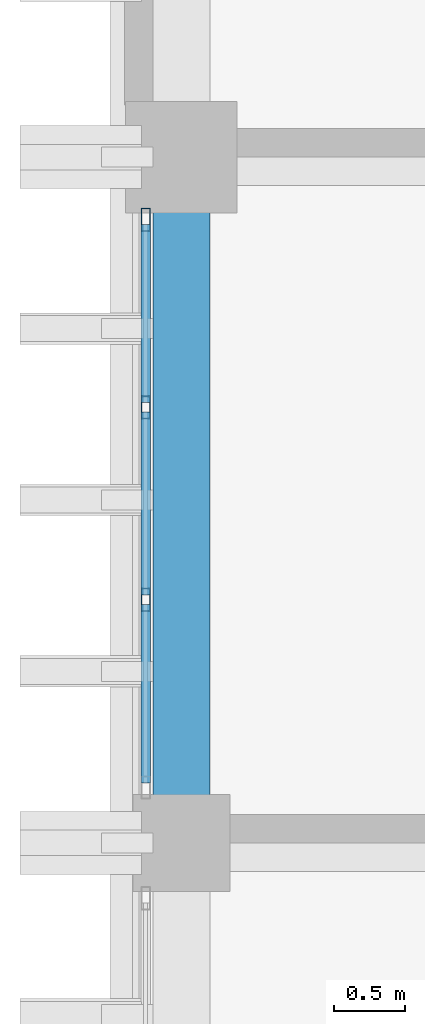
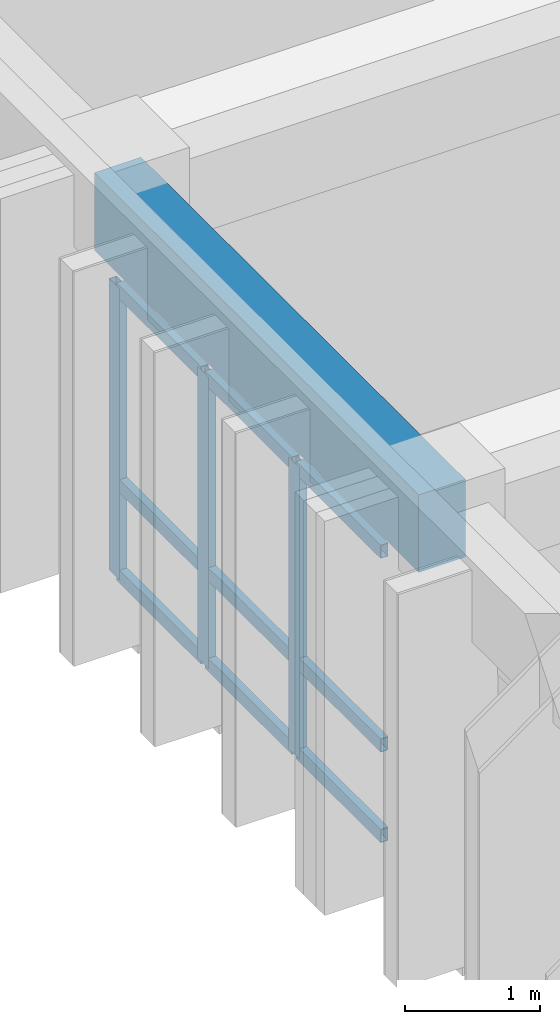
# One storey, part 10 of 68: 12 members, 1 beam, 1 element without a shape of its own.
"""IFC4 building model written with IfcOpenShell, lengths in metres."""

from ifc_helpers import new_model, si_unit, direction, frame, origin, origin_2d, place, context, subcontext, project, spatial, rectangle, hollow_rectangle, extrude, material, layer, layer_set, material_profile, profile_set, type_object, element, aggregate, save


model = new_model("IFC4")

# Units and contexts
model_context = context("Model", 3, precision=1e-05, world=origin(), true_north=direction((0.0, 1.0)))
body_context = subcontext(model_context, "Body", "Model", "MODEL_VIEW")
ifc_project = project(units=[si_unit("LENGTHUNIT", "METRE"), si_unit("AREAUNIT", "SQUARE_METRE"), si_unit("VOLUMEUNIT", "CUBIC_METRE"), si_unit("PLANEANGLEUNIT", "RADIAN"), si_unit("MASSUNIT", "GRAM", prefix="KILO")], contexts=[model_context])

# Site, building, storey
site_placement = place(None, origin())
site = spatial("IfcSite", under=ifc_project, at=site_placement, CompositionType="ELEMENT")
building_placement = place(site_placement, origin())
building = spatial("IfcBuilding", under=site, at=building_placement, Name="Nakhvara Creek Congress Hotel", CompositionType="ELEMENT")
storey_placement = place(building_placement, frame((0.0, 0.0, 24.60009765625)))
storey = spatial("IfcBuildingStorey", under=building, at=storey_placement, Name="L05", CompositionType="ELEMENT", Elevation=24.60009765625)

# Beam
ifc_material_1 = material(Name="Concrete C40/50", Category="concrete")
ifc_material_profile_1 = material_profile(ifc_material_1, rectangle(XDim=0.39990234375, YDim=0.699951171875, at=origin_2d()), Name="RC-BM 400x700", Category="LoadBearing")
ifc_profile_set_1 = profile_set([ifc_material_profile_1], Name="Concrete C40/50")
beam_type = type_object("IfcBeamType", Name="BM-RC-400X700", PredefinedType="BEAM", material=ifc_profile_set_1)
beam_placement = place(storey_placement, frame((149.449951171875, 43.199951171875, 2.989990234375), z_axis=(0.0, 1.0, 0.0), x_axis=(-1.0, 0.0, 0.0)))
element("IfcBeam", 1, at=beam_placement, inside=storey, type_object=beam_type, Name="Beam B05-L05-2064", PredefinedType="BEAM", context=body_context, shape_type="SweptSolid", body=[
    extrude(rectangle(XDim=0.39990234375, YDim=0.699951171875, at=origin_2d()), origin(), (0.0, 0.0, 1.0), 4.800048828125),
])

# Curtain wall, members
ifc_material_2 = material(Name="Bronze-anodised aluminium AW-6063-T6 and double-silver low-E glass", Category="aluminium")
ifc_layer = layer(ifc_material_2, 0.199951171875)
ifc_layer_set = layer_set([ifc_layer], Name="Bronze-anodised aluminium AW-6063-T6 and double-silver low-E glass")
curtain_wall_type = type_object("IfcCurtainWallType", Name="CW-HTL-UNIT", PredefinedType="USERDEFINED", material=ifc_layer_set)
curtain_wall_placement = place(storey_placement, origin())
curtain_wall = element("IfcCurtainWall", 2, at=curtain_wall_placement, inside=storey, type_object=curtain_wall_type, Name="Curtain Wall CW207", ObjectType="UNITISED", PredefinedType="USERDEFINED")
ifc_material_3 = material(Name="Bronze-anodised aluminium AW-6063-T6", Category="aluminium")
ifc_material_profile_2 = material_profile(ifc_material_3, hollow_rectangle(XDim=0.06494140625, YDim=0.159912109375, WallThickness=0.00390625, at=origin_2d()), Name="ALU-MULL 65x160x4", Category="LoadBearing")
ifc_profile_set_2 = profile_set([ifc_material_profile_2], Name="Bronze-anodised aluminium AW-6063-T6")
member_type_1 = type_object("IfcMemberType", Name="CW-MULL-160", PredefinedType="MULLION", material=ifc_profile_set_2)
member_1_placement = place(storey_placement, frame((149.199951171875, 44.901611328125, 0.0), z_axis=(0.0, 0.0, 1.0), x_axis=(-1.0, 0.0, 0.0)))
member_1 = element("IfcMember", 3, at=member_1_placement, type_object=member_type_1, Name="CW207 mullion 2", PredefinedType="MULLION", context=body_context, shape_type="SweptSolid", body=[
    extrude(hollow_rectangle(XDim=0.06494140625, YDim=0.159912109375, WallThickness=0.00390625, at=origin_2d()), origin(), (0.0, 0.0, 1.0), 2.6318359375),
])
member_2_placement = place(storey_placement, frame((149.199951171875, 46.248291015625, 0.0), z_axis=(0.0, 0.0, 1.0), x_axis=(-1.0, 0.0, 0.0)))
member_2 = element("IfcMember", 4, at=member_2_placement, type_object=member_type_1, Name="CW207 mullion 3", PredefinedType="MULLION", context=body_context, shape_type="SweptSolid", body=[
    extrude(hollow_rectangle(XDim=0.06494140625, YDim=0.159912109375, WallThickness=0.00390625, at=origin_2d()), origin(), (0.0, 0.0, 1.0), 2.6318359375),
])
member_3_placement = place(storey_placement, frame((149.199951171875, 47.5625, 0.0), z_axis=(0.0, 0.0, 1.0), x_axis=(-1.0, 0.0, 0.0)))
member_3 = element("IfcMember", 5, at=member_3_placement, type_object=member_type_1, Name="CW207 mullion 4", PredefinedType="MULLION", context=body_context, shape_type="SweptSolid", body=[
    extrude(hollow_rectangle(XDim=0.06494140625, YDim=0.159912109375, WallThickness=0.00390625, at=origin_2d()), origin(), (0.0, 0.0, 1.0), 2.6318359375),
])
ifc_material_profile_3 = material_profile(ifc_material_3, hollow_rectangle(XDim=0.06494140625, YDim=0.1201171875, WallThickness=0.00390625, at=origin_2d()), Name="ALU-TRAN 65x120x4", Category="LoadBearing")
ifc_profile_set_3 = profile_set([ifc_material_profile_3], Name="Bronze-anodised aluminium AW-6063-T6")
member_type_2 = type_object("IfcMemberType", Name="CW-TRAN-120", PredefinedType="USERDEFINED", material=ifc_profile_set_3)
member_4_placement = place(storey_placement, frame((149.199951171875, 43.6201171875, 0.032470703125), z_axis=(0.0, 1.0, 0.0), x_axis=(-1.0, 0.0, 0.0)))
member_4 = element("IfcMember", 6, at=member_4_placement, type_object=member_type_2, Name="CW207 transom 1.1", ObjectType="TRANSOM", PredefinedType="USERDEFINED", context=body_context, shape_type="SweptSolid", body=[
    extrude(hollow_rectangle(XDim=0.06494140625, YDim=0.1201171875, WallThickness=0.00390625, at=origin_2d()), origin(), (0.0, 0.0, 1.0), 1.2490234375),
])
member_5_placement = place(storey_placement, frame((149.199951171875, 43.6201171875, 0.849853515625), z_axis=(0.0, 1.0, 0.0), x_axis=(-1.0, 0.0, 0.0)))
member_5 = element("IfcMember", 7, at=member_5_placement, type_object=member_type_2, Name="CW207 transom 1.2", ObjectType="TRANSOM", PredefinedType="USERDEFINED", context=body_context, shape_type="SweptSolid", body=[
    extrude(hollow_rectangle(XDim=0.06494140625, YDim=0.1201171875, WallThickness=0.00390625, at=origin_2d()), origin(), (0.0, 0.0, 1.0), 1.2490234375),
])
member_6_placement = place(storey_placement, frame((149.199951171875, 43.6201171875, 2.599365234375), z_axis=(0.0, 1.0, 0.0), x_axis=(-1.0, 0.0, 0.0)))
member_6 = element("IfcMember", 8, at=member_6_placement, type_object=member_type_2, Name="CW207 transom 1.3", ObjectType="TRANSOM", PredefinedType="USERDEFINED", context=body_context, shape_type="SweptSolid", body=[
    extrude(hollow_rectangle(XDim=0.06494140625, YDim=0.1201171875, WallThickness=0.00390625, at=origin_2d()), origin(), (0.0, 0.0, 1.0), 1.2490234375),
])
member_7_placement = place(storey_placement, frame((149.199951171875, 44.93408203125, 0.032470703125), z_axis=(0.0, 1.0, 0.0), x_axis=(-1.0, 0.0, 0.0)))
member_7 = element("IfcMember", 9, at=member_7_placement, type_object=member_type_2, Name="CW207 transom 2.1", ObjectType="TRANSOM", PredefinedType="USERDEFINED", context=body_context, shape_type="SweptSolid", body=[
    extrude(hollow_rectangle(XDim=0.06494140625, YDim=0.1201171875, WallThickness=0.00390625, at=origin_2d()), origin(), (0.0, 0.0, 1.0), 1.28173828125),
])
member_8_placement = place(storey_placement, frame((149.199951171875, 44.93408203125, 0.849853515625), z_axis=(0.0, 1.0, 0.0), x_axis=(-1.0, 0.0, 0.0)))
member_8 = element("IfcMember", 10, at=member_8_placement, type_object=member_type_2, Name="CW207 transom 2.2", ObjectType="TRANSOM", PredefinedType="USERDEFINED", context=body_context, shape_type="SweptSolid", body=[
    extrude(hollow_rectangle(XDim=0.06494140625, YDim=0.1201171875, WallThickness=0.00390625, at=origin_2d()), origin(), (0.0, 0.0, 1.0), 1.28173828125),
])
member_9_placement = place(storey_placement, frame((149.199951171875, 44.93408203125, 2.599365234375), z_axis=(0.0, 1.0, 0.0), x_axis=(-1.0, 0.0, 0.0)))
member_9 = element("IfcMember", 11, at=member_9_placement, type_object=member_type_2, Name="CW207 transom 2.3", ObjectType="TRANSOM", PredefinedType="USERDEFINED", context=body_context, shape_type="SweptSolid", body=[
    extrude(hollow_rectangle(XDim=0.06494140625, YDim=0.1201171875, WallThickness=0.00390625, at=origin_2d()), origin(), (0.0, 0.0, 1.0), 1.28173828125),
])
member_10_placement = place(storey_placement, frame((149.199951171875, 46.28076171875, 0.032470703125), z_axis=(0.0, 1.0, 0.0), x_axis=(-1.0, 0.0, 0.0)))
member_10 = element("IfcMember", 12, at=member_10_placement, type_object=member_type_2, Name="CW207 transom 3.1", ObjectType="TRANSOM", PredefinedType="USERDEFINED", context=body_context, shape_type="SweptSolid", body=[
    extrude(hollow_rectangle(XDim=0.06494140625, YDim=0.1201171875, WallThickness=0.00390625, at=origin_2d()), origin(), (0.0, 0.0, 1.0), 1.249267578125),
])
member_11_placement = place(storey_placement, frame((149.199951171875, 46.28076171875, 0.849853515625), z_axis=(0.0, 1.0, 0.0), x_axis=(-1.0, 0.0, 0.0)))
member_11 = element("IfcMember", 13, at=member_11_placement, type_object=member_type_2, Name="CW207 transom 3.2", ObjectType="TRANSOM", PredefinedType="USERDEFINED", context=body_context, shape_type="SweptSolid", body=[
    extrude(hollow_rectangle(XDim=0.06494140625, YDim=0.1201171875, WallThickness=0.00390625, at=origin_2d()), origin(), (0.0, 0.0, 1.0), 1.249267578125),
])
member_12_placement = place(storey_placement, frame((149.199951171875, 46.28076171875, 2.599365234375), z_axis=(0.0, 1.0, 0.0), x_axis=(-1.0, 0.0, 0.0)))
member_12 = element("IfcMember", 14, at=member_12_placement, type_object=member_type_2, Name="CW207 transom 3.3", ObjectType="TRANSOM", PredefinedType="USERDEFINED", context=body_context, shape_type="SweptSolid", body=[
    extrude(hollow_rectangle(XDim=0.06494140625, YDim=0.1201171875, WallThickness=0.00390625, at=origin_2d()), origin(), (0.0, 0.0, 1.0), 1.249267578125),
])
aggregate(curtain_wall, [member_1, member_2, member_3, member_4, member_5, member_6, member_7, member_8, member_9, member_10, member_11, member_12])

save(model, "model.ifc")
